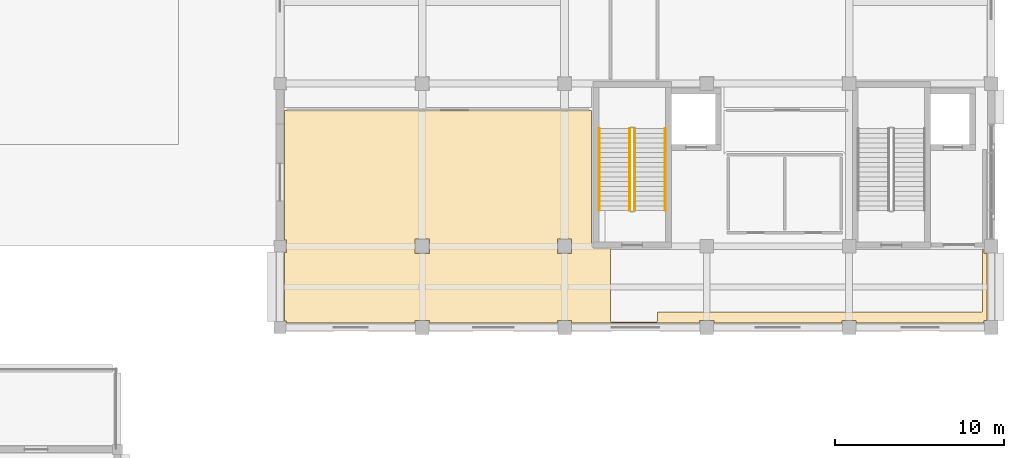
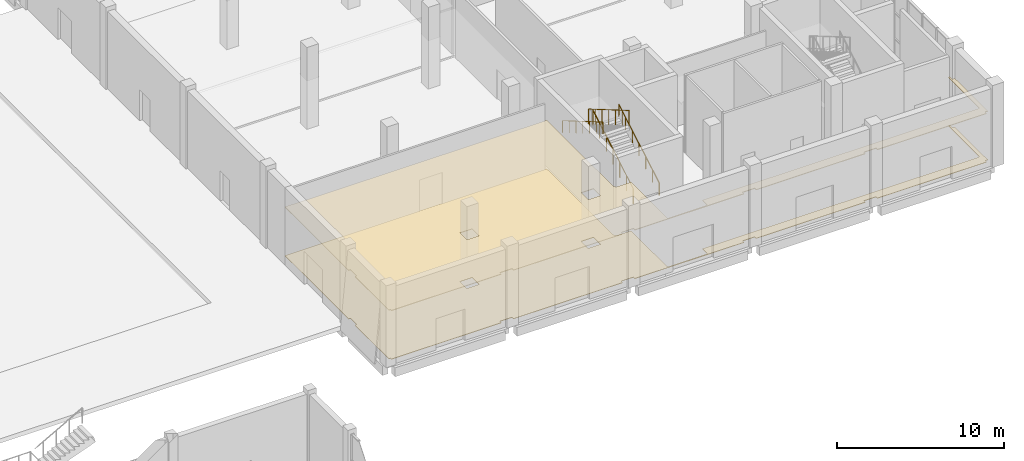
# One storey, part 81 of 84: 4 railings, 2 coverings.
"""IFC4 building model written with IfcOpenShell, lengths in metres."""

from ifc_helpers import new_model, si_unit, direction, frame, origin, origin_2d, place, context, subcontext, project, spatial, polyline, circle, outline, extrude, material, layer, layer_set, type_object, element, save


model = new_model("IFC4")

# Units and contexts
model_context = context("Model", 3, precision=1e-05, world=origin(), true_north=direction((0.0, 1.0)))
body_context = subcontext(model_context, "Body", "Model", "MODEL_VIEW")
ifc_project = project(units=[si_unit("LENGTHUNIT", "METRE"), si_unit("AREAUNIT", "SQUARE_METRE"), si_unit("VOLUMEUNIT", "CUBIC_METRE"), si_unit("PLANEANGLEUNIT", "RADIAN"), si_unit("MASSUNIT", "GRAM", prefix="KILO")], contexts=[model_context])

# Site, building, storey
site_placement = place(None, origin())
site = spatial("IfcSite", under=ifc_project, at=site_placement, CompositionType="ELEMENT")
building_placement = place(site_placement, origin())
building = spatial("IfcBuilding", under=site, at=building_placement, Name="Shalvenor Court Art Gallery", CompositionType="ELEMENT")
storey_placement = place(building_placement, origin())
storey = spatial("IfcBuildingStorey", under=building, at=storey_placement, Name="L00", CompositionType="ELEMENT", Elevation=0.0)

# Coverings
ifc_material_1 = material(Name="Acoustic hinoki timber slat ceiling", Category="wood")
ifc_layer_1 = layer(ifc_material_1, 0.054931640625, Name="Acoustic hinoki timber slat ceiling")
ifc_layer_set_1 = layer_set([ifc_layer_1], Name="Acoustic hinoki timber slat ceiling")
covering_type_1 = type_object("IfcCoveringType", Name="CLG-02", PredefinedType="CEILING", material=ifc_layer_set_1)
covering_1_placement = place(storey_placement, frame((0.0, 0.0, 3.550048828125)))
element("IfcCovering", 1, at=covering_1_placement, inside=storey, type_object=covering_type_1, Name="L00 Public Entrance Foyer Acoustic Ceiling", PredefinedType="CEILING", context=body_context, shape_type="SweptSolid", body=[
    extrude(outline(polyline([(152.780029296875, 58.419921875), (152.780029296875, 50.5), (152.781005859375, 50.478515625), (152.7841796875, 50.45703125), (152.78955078125, 50.43603515625), (152.796630859375, 50.415771484375), (152.805908203125, 50.396240234375), (152.817138671875, 50.377685546875), (152.829833984375, 50.3603515625), (152.844482421875, 50.344482421875), (152.8603515625, 50.329833984375), (152.877685546875, 50.317138671875), (152.896240234375, 50.305908203125), (152.915771484375, 50.296630859375), (152.93603515625, 50.28955078125), (152.95703125, 50.2841796875), (152.978515625, 50.281005859375), (153.0, 50.280029296875), (153.919921875, 50.280029296875), (153.919921875, 46.0), (153.92041015625, 45.9921875), (153.92138671875, 45.984375), (153.92333984375, 45.976806640625), (153.926025390625, 45.969482421875), (153.929443359375, 45.96240234375), (153.93359375, 45.95556640625), (153.938232421875, 45.94921875), (153.943359375, 45.943359375), (153.94921875, 45.938232421875), (153.95556640625, 45.93359375), (153.96240234375, 45.929443359375), (153.969482421875, 45.926025390625), (153.976806640625, 45.92333984375), (153.984375, 45.92138671875), (153.9921875, 45.92041015625), (154.0, 45.919921875), (156.60009765625, 45.919921875), (156.60791015625, 45.92041015625), (156.615478515625, 45.92138671875), (156.623291015625, 45.92333984375), (156.630615234375, 45.926025390625), (156.6376953125, 45.929443359375), (156.644287109375, 45.93359375), (156.65087890625, 45.938232421875), (156.656494140625, 45.943359375), (156.661865234375, 45.94921875), (156.66650390625, 45.95556640625), (156.670654296875, 45.96240234375), (156.673828125, 45.969482421875), (156.676513671875, 45.976806640625), (156.678466796875, 45.984375), (156.6796875, 45.9921875), (156.679931640625, 46.0), (156.679931640625, 46.52001953125), (175.800048828125, 46.52001953125), (175.807861328125, 46.5205078125), (175.815673828125, 46.521484375), (175.8232421875, 46.5234375), (175.83056640625, 46.526123046875), (175.837646484375, 46.529296875), (175.844482421875, 46.533447265625), (175.850830078125, 46.5380859375), (175.856689453125, 46.54345703125), (175.86181640625, 46.54931640625), (175.866455078125, 46.5556640625), (175.87060546875, 46.562255859375), (175.873779296875, 46.5693359375), (175.876708984375, 46.576904296875), (175.87841796875, 46.58447265625), (175.879638671875, 46.59228515625), (175.8798828125, 46.60009765625), (175.8798828125, 50.280029296875), (175.97998046875, 50.280029296875), (175.97998046875, 49.97998046875), (176.14990234375, 49.97998046875), (176.14990234375, 46.02001953125), (175.97998046875, 46.02001953125), (175.97998046875, 45.85009765625), (168.419921875, 45.85009765625), (168.419921875, 46.02001953125), (167.580078125, 46.02001953125), (167.580078125, 45.85009765625), (160.02001953125, 45.85009765625), (160.02001953125, 46.02001953125), (159.179931640625, 46.02001953125), (159.179931640625, 45.85009765625), (151.6201171875, 45.85009765625), (151.6201171875, 46.02001953125), (150.780029296875, 46.02001953125), (150.780029296875, 45.85009765625), (143.219970703125, 45.85009765625), (143.219970703125, 46.02001953125), (142.3798828125, 46.02001953125), (142.3798828125, 45.85009765625), (134.77001953125, 45.85009765625), (134.77001953125, 45.969970703125), (134.64990234375, 45.969970703125), (134.64990234375, 50.030029296875), (134.77001953125, 50.030029296875), (134.77001953125, 50.77001953125), (134.64990234375, 50.77001953125), (134.64990234375, 58.419921875), (152.780029296875, 58.419921875)]), holes=[polyline([(143.219970703125, 50.820068359375), (142.3798828125, 50.820068359375), (142.3798828125, 49.97998046875), (143.219970703125, 49.97998046875), (143.219970703125, 50.820068359375)]), polyline([(151.6201171875, 50.820068359375), (150.780029296875, 50.820068359375), (150.780029296875, 49.97998046875), (151.6201171875, 49.97998046875), (151.6201171875, 50.820068359375)])]), origin(), (0.0, 0.0, 1.0), 0.044921875),
])
ifc_material_2 = material(Name="Honed pale limestone terrazzo flooring", Category="masonry")
ifc_layer_2 = layer(ifc_material_2, 0.0400390625, Name="Honed pale limestone terrazzo flooring")
ifc_layer_set_2 = layer_set([ifc_layer_2], Name="Honed pale limestone terrazzo flooring")
covering_type_2 = type_object("IfcCoveringType", Name="FLR-01", PredefinedType="FLOORING", material=ifc_layer_set_2)
covering_2_placement = place(storey_placement, origin())
element("IfcCovering", 2, at=covering_2_placement, inside=storey, type_object=covering_type_2, Name="L00 Public Entrance Foyer Flooring", PredefinedType="FLOORING", context=body_context, shape_type="SweptSolid", body=[
    extrude(outline(polyline([(152.780029296875, 58.419921875), (152.780029296875, 50.5), (152.781005859375, 50.478515625), (152.7841796875, 50.45703125), (152.78955078125, 50.43603515625), (152.796630859375, 50.415771484375), (152.805908203125, 50.396240234375), (152.817138671875, 50.377685546875), (152.829833984375, 50.3603515625), (152.844482421875, 50.344482421875), (152.8603515625, 50.329833984375), (152.877685546875, 50.317138671875), (152.896240234375, 50.305908203125), (152.915771484375, 50.296630859375), (152.93603515625, 50.28955078125), (152.95703125, 50.2841796875), (152.978515625, 50.281005859375), (153.0, 50.280029296875), (153.919921875, 50.280029296875), (153.919921875, 46.0), (153.92041015625, 45.9921875), (153.92138671875, 45.984375), (153.92333984375, 45.976806640625), (153.926025390625, 45.969482421875), (153.929443359375, 45.96240234375), (153.93359375, 45.95556640625), (153.938232421875, 45.94921875), (153.943359375, 45.943359375), (153.94921875, 45.938232421875), (153.95556640625, 45.93359375), (153.96240234375, 45.929443359375), (153.969482421875, 45.926025390625), (153.976806640625, 45.92333984375), (153.984375, 45.92138671875), (153.9921875, 45.92041015625), (154.0, 45.919921875), (156.60009765625, 45.919921875), (156.60791015625, 45.92041015625), (156.615478515625, 45.92138671875), (156.623291015625, 45.92333984375), (156.630615234375, 45.926025390625), (156.6376953125, 45.929443359375), (156.644287109375, 45.93359375), (156.65087890625, 45.938232421875), (156.656494140625, 45.943359375), (156.661865234375, 45.94921875), (156.66650390625, 45.95556640625), (156.670654296875, 45.96240234375), (156.673828125, 45.969482421875), (156.676513671875, 45.976806640625), (156.678466796875, 45.984375), (156.6796875, 45.9921875), (156.679931640625, 46.0), (156.679931640625, 46.52001953125), (175.800048828125, 46.52001953125), (175.807861328125, 46.5205078125), (175.815673828125, 46.521484375), (175.8232421875, 46.5234375), (175.83056640625, 46.526123046875), (175.837646484375, 46.529296875), (175.844482421875, 46.533447265625), (175.850830078125, 46.5380859375), (175.856689453125, 46.54345703125), (175.86181640625, 46.54931640625), (175.866455078125, 46.5556640625), (175.87060546875, 46.562255859375), (175.873779296875, 46.5693359375), (175.876708984375, 46.576904296875), (175.87841796875, 46.58447265625), (175.879638671875, 46.59228515625), (175.8798828125, 46.60009765625), (175.8798828125, 50.280029296875), (175.97998046875, 50.280029296875), (175.97998046875, 49.97998046875), (176.14990234375, 49.97998046875), (176.14990234375, 46.02001953125), (175.97998046875, 46.02001953125), (175.97998046875, 45.85009765625), (168.419921875, 45.85009765625), (168.419921875, 46.02001953125), (167.580078125, 46.02001953125), (167.580078125, 45.85009765625), (160.02001953125, 45.85009765625), (160.02001953125, 46.02001953125), (159.179931640625, 46.02001953125), (159.179931640625, 45.85009765625), (151.6201171875, 45.85009765625), (151.6201171875, 46.02001953125), (150.780029296875, 46.02001953125), (150.780029296875, 45.85009765625), (143.219970703125, 45.85009765625), (143.219970703125, 46.02001953125), (142.3798828125, 46.02001953125), (142.3798828125, 45.85009765625), (134.77001953125, 45.85009765625), (134.77001953125, 45.969970703125), (134.64990234375, 45.969970703125), (134.64990234375, 50.030029296875), (134.77001953125, 50.030029296875), (134.77001953125, 50.77001953125), (134.64990234375, 50.77001953125), (134.64990234375, 58.419921875), (152.780029296875, 58.419921875)]), holes=[polyline([(143.219970703125, 50.820068359375), (142.3798828125, 50.820068359375), (142.3798828125, 49.97998046875), (143.219970703125, 49.97998046875), (143.219970703125, 50.820068359375)]), polyline([(151.6201171875, 50.820068359375), (150.780029296875, 50.820068359375), (150.780029296875, 49.97998046875), (151.6201171875, 49.97998046875), (151.6201171875, 50.820068359375)])]), origin(), (0.0, 0.0, 1.0), 0.031982421875),
])

# Railings
ifc_material_3 = material(Name="Painted steel post-and-rail guard", Category="steel")
railing_type_1 = type_object("IfcRailingType", Name="GR-02", PredefinedType="GUARDRAIL", material=ifc_material_3)
railing_1_placement = place(storey_placement, frame((155.35009765625, 52.5, 0.166748046875)))
element("IfcRailing", 3, at=railing_1_placement, inside=storey, type_object=railing_type_1, Name="L00 ST-03 Stair Guard 1", PredefinedType="GUARDRAIL", context=body_context, shape_type="SweptSolid", body=[
    extrude(circle(Radius=0.02392578125, at=origin_2d()), frame((0.0, 0.0, 1.09619140625), z_axis=(0.0, 0.863234098208, 0.504803815052), x_axis=(-1.0, 0.0, 0.0)), (0.0, 0.0, 1.0), 5.612548828125),
    extrude(circle(Radius=0.02099609375, at=origin_2d()), origin(), (0.0, 0.0, 1.0), 1.072021484375),
    extrude(circle(Radius=0.02099609375, at=origin_2d()), frame((0.0, 0.8076171875, 0.47216796875)), (0.0, 0.0, 1.0), 1.072021484375),
    extrude(circle(Radius=0.02099609375, at=origin_2d()), frame((0.0, 1.614990234375, 0.9443359375)), (0.0, 0.0, 1.0), 1.072021484375),
    extrude(circle(Radius=0.02099609375, at=origin_2d()), frame((0.0, 2.42236328125, 1.41650390625)), (0.0, 0.0, 1.0), 1.072021484375),
    extrude(circle(Radius=0.02099609375, at=origin_2d()), frame((0.0, 3.22998046875, 1.888916015625)), (0.0, 0.0, 1.0), 1.072021484375),
    extrude(circle(Radius=0.02099609375, at=origin_2d()), frame((0.0, 4.03759765625, 2.361083984375)), (0.0, 0.0, 1.0), 1.072021484375),
    extrude(circle(Radius=0.02099609375, at=origin_2d()), frame((0.0, 4.844970703125, 2.833251953125)), (0.0, 0.0, 1.0), 1.072021484375),
])
railing_2_placement = place(storey_placement, frame((155.050048828125, 57.344970703125, 3.166748046875)))
element("IfcRailing", 4, at=railing_2_placement, inside=storey, type_object=railing_type_1, Name="L00 ST-03 Stair Guard 3", PredefinedType="GUARDRAIL", context=body_context, shape_type="SweptSolid", body=[
    extrude(circle(Radius=0.02392578125, at=origin_2d()), frame((0.0, 0.0, 1.09619140625), z_axis=(0.0, -0.863234098208, 0.504803815052), x_axis=(1.0, 0.0, 0.0)), (0.0, 0.0, 1.0), 5.612548828125),
    extrude(circle(Radius=0.02099609375, at=origin_2d()), origin(), (0.0, 0.0, 1.0), 1.072021484375),
    extrude(circle(Radius=0.02099609375, at=origin_2d()), frame((0.0, -0.8076171875, 0.47216796875)), (0.0, 0.0, 1.0), 1.072021484375),
    extrude(circle(Radius=0.02099609375, at=origin_2d()), frame((0.0, -1.614990234375, 0.9443359375)), (0.0, 0.0, 1.0), 1.072021484375),
    extrude(circle(Radius=0.02099609375, at=origin_2d()), frame((0.0, -2.42236328125, 1.41650390625)), (0.0, 0.0, 1.0), 1.072021484375),
    extrude(circle(Radius=0.02099609375, at=origin_2d()), frame((0.0, -3.22998046875, 1.888916015625)), (0.0, 0.0, 1.0), 1.072021484375),
    extrude(circle(Radius=0.02099609375, at=origin_2d()), frame((0.0, -4.03759765625, 2.361083984375)), (0.0, 0.0, 1.0), 1.072021484375),
    extrude(circle(Radius=0.02099609375, at=origin_2d()), frame((0.0, -4.844970703125, 2.833251953125)), (0.0, 0.0, 1.0), 1.072021484375),
])
ifc_material_4 = material(Name="Brushed stainless steel handrail", Category="steel")
railing_type_2 = type_object("IfcRailingType", Name="HR-01", PredefinedType="HANDRAIL", material=ifc_material_4)
railing_3_placement = place(storey_placement, frame((157.14990234375, 52.5, 0.166748046875)))
element("IfcRailing", 5, at=railing_3_placement, inside=storey, type_object=railing_type_2, Name="L00 ST-03 Stair Handrail 1", PredefinedType="HANDRAIL", context=body_context, shape_type="SweptSolid", body=[
    extrude(circle(Radius=0.02392578125, at=origin_2d()), frame((0.0, 0.0, 0.8759765625), z_axis=(0.0, 0.863234098208, 0.504803815052), x_axis=(-1.0, 0.0, 0.0)), (0.0, 0.0, 1.0), 5.612548828125),
    extrude(circle(Radius=0.02099609375, at=origin_2d()), origin(), (0.0, 0.0, 1.0), 0.851806640625),
    extrude(circle(Radius=0.02099609375, at=origin_2d()), frame((0.0, 0.8076171875, 0.47216796875)), (0.0, 0.0, 1.0), 0.851806640625),
    extrude(circle(Radius=0.02099609375, at=origin_2d()), frame((0.0, 1.614990234375, 0.9443359375)), (0.0, 0.0, 1.0), 0.851806640625),
    extrude(circle(Radius=0.02099609375, at=origin_2d()), frame((0.0, 2.42236328125, 1.41650390625)), (0.0, 0.0, 1.0), 0.851806640625),
    extrude(circle(Radius=0.02099609375, at=origin_2d()), frame((0.0, 3.22998046875, 1.888916015625)), (0.0, 0.0, 1.0), 0.851806640625),
    extrude(circle(Radius=0.02099609375, at=origin_2d()), frame((0.0, 4.03759765625, 2.361083984375)), (0.0, 0.0, 1.0), 0.851806640625),
    extrude(circle(Radius=0.02099609375, at=origin_2d()), frame((0.0, 4.844970703125, 2.833251953125)), (0.0, 0.0, 1.0), 0.851806640625),
])
railing_4_placement = place(storey_placement, frame((153.25, 57.344970703125, 3.166748046875)))
element("IfcRailing", 6, at=railing_4_placement, inside=storey, type_object=railing_type_2, Name="L00 ST-03 Stair Handrail 2", PredefinedType="HANDRAIL", context=body_context, shape_type="SweptSolid", body=[
    extrude(circle(Radius=0.02392578125, at=origin_2d()), frame((0.0, 0.0, 0.8759765625), z_axis=(0.0, -0.863234098208, 0.504803815052), x_axis=(1.0, 0.0, 0.0)), (0.0, 0.0, 1.0), 5.612548828125),
    extrude(circle(Radius=0.02099609375, at=origin_2d()), origin(), (0.0, 0.0, 1.0), 0.851806640625),
    extrude(circle(Radius=0.02099609375, at=origin_2d()), frame((0.0, -0.8076171875, 0.47216796875)), (0.0, 0.0, 1.0), 0.851806640625),
    extrude(circle(Radius=0.02099609375, at=origin_2d()), frame((0.0, -1.614990234375, 0.9443359375)), (0.0, 0.0, 1.0), 0.851806640625),
    extrude(circle(Radius=0.02099609375, at=origin_2d()), frame((0.0, -2.42236328125, 1.41650390625)), (0.0, 0.0, 1.0), 0.851806640625),
    extrude(circle(Radius=0.02099609375, at=origin_2d()), frame((0.0, -3.22998046875, 1.888916015625)), (0.0, 0.0, 1.0), 0.851806640625),
    extrude(circle(Radius=0.02099609375, at=origin_2d()), frame((0.0, -4.03759765625, 2.361083984375)), (0.0, 0.0, 1.0), 0.851806640625),
    extrude(circle(Radius=0.02099609375, at=origin_2d()), frame((0.0, -4.844970703125, 2.833251953125)), (0.0, 0.0, 1.0), 0.851806640625),
])

save(model, "model.ifc")
